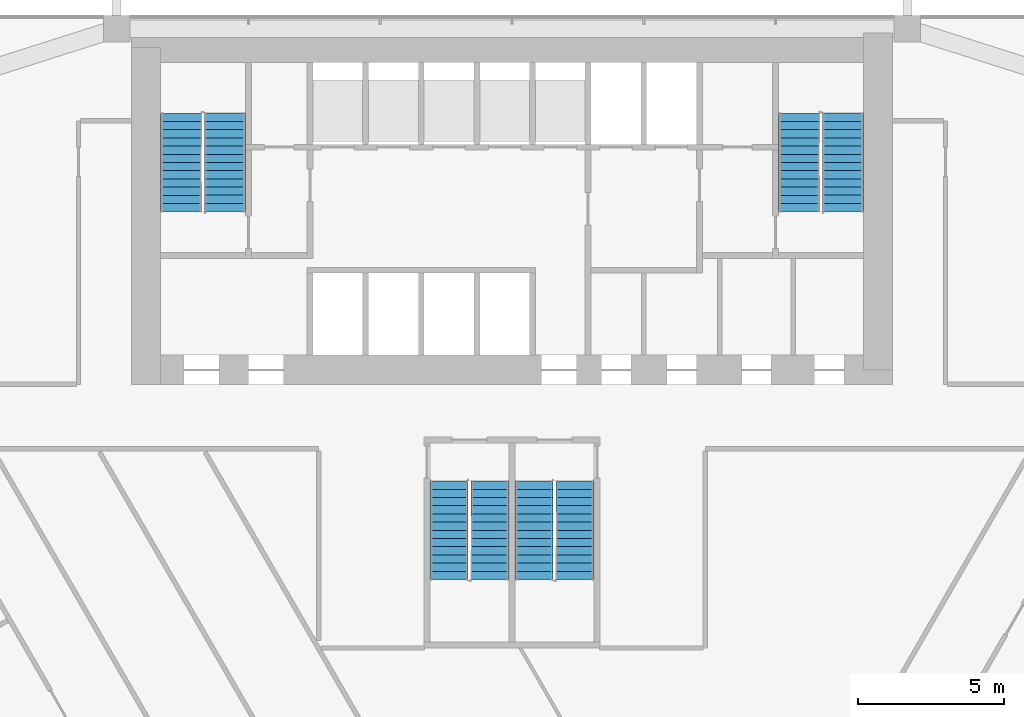
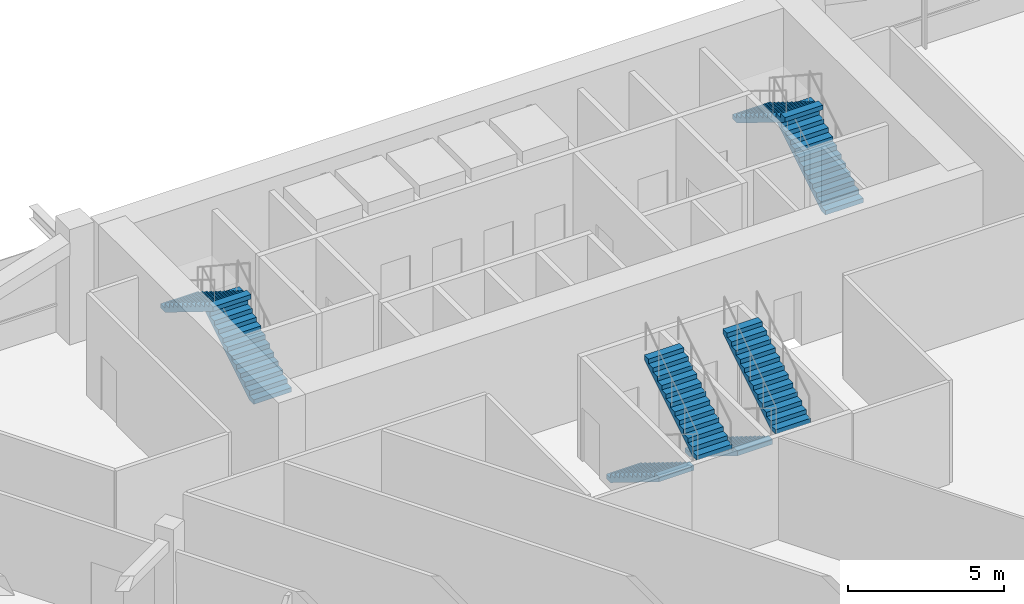
# One storey, part 12 of 15: 8 stair flights, 4 elements without a shape of their own.
"""IFC4 building model written with IfcOpenShell, lengths in metres."""

from ifc_helpers import new_model, si_unit, direction, frame, origin, place, context, subcontext, project, spatial, polyline, outline, extrude, material, type_object, element, aggregate, save


model = new_model("IFC4")

# Units and contexts
model_context = context("Model", 3, precision=1e-05, world=origin(), true_north=direction((0.0, 1.0)))
body_context = subcontext(model_context, "Body", "Model", "MODEL_VIEW")
ifc_project = project(units=[si_unit("LENGTHUNIT", "METRE"), si_unit("AREAUNIT", "SQUARE_METRE"), si_unit("VOLUMEUNIT", "CUBIC_METRE"), si_unit("PLANEANGLEUNIT", "RADIAN"), si_unit("MASSUNIT", "GRAM", prefix="KILO")], contexts=[model_context])

# Site, building, storey
site_placement = place(None, origin())
site = spatial("IfcSite", under=ifc_project, at=site_placement, CompositionType="ELEMENT")
building_placement = place(site_placement, origin())
building = spatial("IfcBuilding", under=site, at=building_placement, Name="Altiplano Prism Tower", CompositionType="ELEMENT")
storey_placement = place(building_placement, frame((0.0, 0.0, 22.5)))
storey = spatial("IfcBuildingStorey", under=building, at=storey_placement, Name="L04", CompositionType="ELEMENT", Elevation=22.5)

# Stair, stair flights
ifc_material = material(Name="Concrete C40/50", Category="concrete")
stair_type_1 = type_object("IfcStairType", Name="Exit stair 1400", PredefinedType="HALF_TURN_STAIR", material=ifc_material)
stair_1_placement = place(storey_placement, origin())
stair_1 = element("IfcStair", 1, at=stair_1_placement, inside=storey, type_object=stair_type_1, Name="L04 Exit Stair 1", PredefinedType="HALF_TURN_STAIR")
stair_flight_type = type_object("IfcStairFlightType", Name="Stair flight concrete 150", PredefinedType="STRAIGHT", material=ifc_material)
stair_flight_1_placement = place(storey_placement, frame((75.199951171875, 98.300048828125, 0.0), z_axis=(0.0, 0.0, 1.0), x_axis=(0.0, 1.0, 0.0)))
stair_flight_1 = element("IfcStairFlight", 2, at=stair_flight_1_placement, type_object=stair_flight_type, Name="ST1 flight 1", NumberOfRisers=13, NumberOfTreads=12, PredefinedType="STRAIGHT", RiserHeight=0.173076923, TreadLength=0.28, context=body_context, shape_type="SweptSolid", body=[
    extrude(outline(polyline([(0.0, 0.0), (0.0, 0.173095703125), (0.280029296875, 0.173095703125), (0.280029296875, 0.34619140625), (0.56005859375, 0.34619140625), (0.56005859375, 0.519287109375), (0.840087890625, 0.519287109375), (0.840087890625, 0.6923828125), (1.1201171875, 0.6923828125), (1.1201171875, 0.865478515625), (1.39990234375, 0.865478515625), (1.39990234375, 1.03857421875), (1.679931640625, 1.03857421875), (1.679931640625, 1.21142578125), (1.9599609375, 1.21142578125), (1.9599609375, 1.384521484375), (2.239990234375, 1.384521484375), (2.239990234375, 1.5576171875), (2.52001953125, 1.5576171875), (2.52001953125, 1.730712890625), (2.800048828125, 1.730712890625), (2.800048828125, 1.90380859375), (3.080078125, 1.90380859375), (3.080078125, 2.076904296875), (3.360107421875, 2.076904296875), (3.360107421875, 2.25), (3.360107421875, 1.900634765625), (0.28515625, 0.0), (0.0, 0.0)])), frame((0.0, 0.699951171875, 0.0), z_axis=(0.0, -1.0, 0.0), x_axis=(1.0, 0.0, 0.0)), (0.0, 0.0, 1.0), 1.39990234375),
])
stair_flight_2_placement = place(storey_placement, frame((73.699951171875, 101.659912109375, 2.25), z_axis=(0.0, 0.0, 1.0), x_axis=(0.0, -1.0, 0.0)))
stair_flight_2 = element("IfcStairFlight", 3, at=stair_flight_2_placement, type_object=stair_flight_type, Name="ST1 flight 2", NumberOfRisers=13, NumberOfTreads=12, PredefinedType="STRAIGHT", RiserHeight=0.173076923, TreadLength=0.28, context=body_context, shape_type="SweptSolid", body=[
    extrude(outline(polyline([(0.0, 0.0), (0.0, 0.173095703125), (0.280029296875, 0.173095703125), (0.280029296875, 0.34619140625), (0.56005859375, 0.34619140625), (0.56005859375, 0.519287109375), (0.840087890625, 0.519287109375), (0.840087890625, 0.6923828125), (1.1201171875, 0.6923828125), (1.1201171875, 0.865478515625), (1.39990234375, 0.865478515625), (1.39990234375, 1.03857421875), (1.679931640625, 1.03857421875), (1.679931640625, 1.21142578125), (1.9599609375, 1.21142578125), (1.9599609375, 1.384521484375), (2.239990234375, 1.384521484375), (2.239990234375, 1.5576171875), (2.52001953125, 1.5576171875), (2.52001953125, 1.730712890625), (2.800048828125, 1.730712890625), (2.800048828125, 1.90380859375), (3.080078125, 1.90380859375), (3.080078125, 2.076904296875), (3.360107421875, 2.076904296875), (3.360107421875, 2.25), (3.360107421875, 1.900634765625), (0.28515625, 0.0), (0.0, 0.0)])), frame((0.0, 0.699951171875, 0.0), z_axis=(0.0, -1.0, 0.0), x_axis=(1.0, 0.0, 0.0)), (0.0, 0.0, 1.0), 1.39990234375),
])
aggregate(stair_1, [stair_flight_1, stair_flight_2])

stair_2_placement = place(storey_placement, origin())
stair_2 = element("IfcStair", 4, at=stair_2_placement, inside=storey, type_object=stair_type_1, Name="L04 Exit Stair 2", PredefinedType="HALF_TURN_STAIR")
stair_flight_3_placement = place(storey_placement, frame((96.300048828125, 98.300048828125, 0.0), z_axis=(0.0, 0.0, 1.0), x_axis=(0.0, 1.0, 0.0)))
stair_flight_3 = element("IfcStairFlight", 5, at=stair_flight_3_placement, type_object=stair_flight_type, Name="ST2 flight 1", NumberOfRisers=13, NumberOfTreads=12, PredefinedType="STRAIGHT", RiserHeight=0.173076923, TreadLength=0.28, context=body_context, shape_type="SweptSolid", body=[
    extrude(outline(polyline([(0.0, 0.0), (0.0, 0.173095703125), (0.280029296875, 0.173095703125), (0.280029296875, 0.34619140625), (0.56005859375, 0.34619140625), (0.56005859375, 0.519287109375), (0.840087890625, 0.519287109375), (0.840087890625, 0.6923828125), (1.1201171875, 0.6923828125), (1.1201171875, 0.865478515625), (1.39990234375, 0.865478515625), (1.39990234375, 1.03857421875), (1.679931640625, 1.03857421875), (1.679931640625, 1.21142578125), (1.9599609375, 1.21142578125), (1.9599609375, 1.384521484375), (2.239990234375, 1.384521484375), (2.239990234375, 1.5576171875), (2.52001953125, 1.5576171875), (2.52001953125, 1.730712890625), (2.800048828125, 1.730712890625), (2.800048828125, 1.90380859375), (3.080078125, 1.90380859375), (3.080078125, 2.076904296875), (3.360107421875, 2.076904296875), (3.360107421875, 2.25), (3.360107421875, 1.900634765625), (0.28515625, 0.0), (0.0, 0.0)])), frame((0.0, 0.699951171875, 0.0), z_axis=(0.0, -1.0, 0.0), x_axis=(1.0, 0.0, 0.0)), (0.0, 0.0, 1.0), 1.39990234375),
])
stair_flight_4_placement = place(storey_placement, frame((94.800048828125, 101.659912109375, 2.25), z_axis=(0.0, 0.0, 1.0), x_axis=(0.0, -1.0, 0.0)))
stair_flight_4 = element("IfcStairFlight", 6, at=stair_flight_4_placement, type_object=stair_flight_type, Name="ST2 flight 2", NumberOfRisers=13, NumberOfTreads=12, PredefinedType="STRAIGHT", RiserHeight=0.173076923, TreadLength=0.28, context=body_context, shape_type="SweptSolid", body=[
    extrude(outline(polyline([(0.0, 0.0), (0.0, 0.173095703125), (0.280029296875, 0.173095703125), (0.280029296875, 0.34619140625), (0.56005859375, 0.34619140625), (0.56005859375, 0.519287109375), (0.840087890625, 0.519287109375), (0.840087890625, 0.6923828125), (1.1201171875, 0.6923828125), (1.1201171875, 0.865478515625), (1.39990234375, 0.865478515625), (1.39990234375, 1.03857421875), (1.679931640625, 1.03857421875), (1.679931640625, 1.21142578125), (1.9599609375, 1.21142578125), (1.9599609375, 1.384521484375), (2.239990234375, 1.384521484375), (2.239990234375, 1.5576171875), (2.52001953125, 1.5576171875), (2.52001953125, 1.730712890625), (2.800048828125, 1.730712890625), (2.800048828125, 1.90380859375), (3.080078125, 1.90380859375), (3.080078125, 2.076904296875), (3.360107421875, 2.076904296875), (3.360107421875, 2.25), (3.360107421875, 1.900634765625), (0.28515625, 0.0), (0.0, 0.0)])), frame((0.0, 0.699951171875, 0.0), z_axis=(0.0, -1.0, 0.0), x_axis=(1.0, 0.0, 0.0)), (0.0, 0.0, 1.0), 1.39990234375),
])
aggregate(stair_2, [stair_flight_3, stair_flight_4])

stair_type_2 = type_object("IfcStairType", Name="Exit stair 1300", PredefinedType="HALF_TURN_STAIR", material=ifc_material)
stair_3_placement = place(storey_placement, origin())
stair_3 = element("IfcStair", 7, at=stair_3_placement, inside=storey, type_object=stair_type_2, Name="L04 Exit Stair 3A", PredefinedType="HALF_TURN_STAIR")
stair_flight_5_placement = place(storey_placement, frame((82.85009765625, 89.10009765625, 0.0), z_axis=(0.0, 0.0, 1.0), x_axis=(0.0, -1.0, 0.0)))
stair_flight_5 = element("IfcStairFlight", 8, at=stair_flight_5_placement, type_object=stair_flight_type, Name="ST3A flight 1", NumberOfRisers=13, NumberOfTreads=12, PredefinedType="STRAIGHT", RiserHeight=0.173076923, TreadLength=0.28, context=body_context, shape_type="SweptSolid", body=[
    extrude(outline(polyline([(0.0, 0.0), (0.0, 0.173095703125), (0.280029296875, 0.173095703125), (0.280029296875, 0.34619140625), (0.56005859375, 0.34619140625), (0.56005859375, 0.519287109375), (0.840087890625, 0.519287109375), (0.840087890625, 0.6923828125), (1.1201171875, 0.6923828125), (1.1201171875, 0.865478515625), (1.39990234375, 0.865478515625), (1.39990234375, 1.03857421875), (1.679931640625, 1.03857421875), (1.679931640625, 1.21142578125), (1.9599609375, 1.21142578125), (1.9599609375, 1.384521484375), (2.239990234375, 1.384521484375), (2.239990234375, 1.5576171875), (2.52001953125, 1.5576171875), (2.52001953125, 1.730712890625), (2.800048828125, 1.730712890625), (2.800048828125, 1.90380859375), (3.080078125, 1.90380859375), (3.080078125, 2.076904296875), (3.360107421875, 2.076904296875), (3.360107421875, 2.25), (3.360107421875, 1.900634765625), (0.28515625, 0.0), (0.0, 0.0)])), frame((0.0, 0.64990234375, 0.0), z_axis=(0.0, -1.0, 0.0), x_axis=(1.0, 0.0, 0.0)), (0.0, 0.0, 1.0), 1.300048828125),
])
stair_flight_6_placement = place(storey_placement, frame((84.25, 85.739990234375, 2.25), z_axis=(0.0, 0.0, 1.0), x_axis=(0.0, 1.0, 0.0)))
stair_flight_6 = element("IfcStairFlight", 9, at=stair_flight_6_placement, type_object=stair_flight_type, Name="ST3A flight 2", NumberOfRisers=13, NumberOfTreads=12, PredefinedType="STRAIGHT", RiserHeight=0.173076923, TreadLength=0.28, context=body_context, shape_type="SweptSolid", body=[
    extrude(outline(polyline([(0.0, 0.0), (0.0, 0.173095703125), (0.280029296875, 0.173095703125), (0.280029296875, 0.34619140625), (0.56005859375, 0.34619140625), (0.56005859375, 0.519287109375), (0.840087890625, 0.519287109375), (0.840087890625, 0.6923828125), (1.1201171875, 0.6923828125), (1.1201171875, 0.865478515625), (1.39990234375, 0.865478515625), (1.39990234375, 1.03857421875), (1.679931640625, 1.03857421875), (1.679931640625, 1.21142578125), (1.9599609375, 1.21142578125), (1.9599609375, 1.384521484375), (2.239990234375, 1.384521484375), (2.239990234375, 1.5576171875), (2.52001953125, 1.5576171875), (2.52001953125, 1.730712890625), (2.800048828125, 1.730712890625), (2.800048828125, 1.90380859375), (3.080078125, 1.90380859375), (3.080078125, 2.076904296875), (3.360107421875, 2.076904296875), (3.360107421875, 2.25), (3.360107421875, 1.900634765625), (0.28515625, 0.0), (0.0, 0.0)])), frame((0.0, 0.64990234375, 0.0), z_axis=(0.0, -1.0, 0.0), x_axis=(1.0, 0.0, 0.0)), (0.0, 0.0, 1.0), 1.300048828125),
])
aggregate(stair_3, [stair_flight_5, stair_flight_6])

stair_4_placement = place(storey_placement, origin())
stair_4 = element("IfcStair", 10, at=stair_4_placement, inside=storey, type_object=stair_type_2, Name="L04 Exit Stair 3B", PredefinedType="HALF_TURN_STAIR")
stair_flight_7_placement = place(storey_placement, frame((85.75, 89.10009765625, 0.0), z_axis=(0.0, 0.0, 1.0), x_axis=(0.0, -1.0, 0.0)))
stair_flight_7 = element("IfcStairFlight", 11, at=stair_flight_7_placement, type_object=stair_flight_type, Name="ST3B flight 1", NumberOfRisers=13, NumberOfTreads=12, PredefinedType="STRAIGHT", RiserHeight=0.173076923, TreadLength=0.28, context=body_context, shape_type="SweptSolid", body=[
    extrude(outline(polyline([(0.0, 0.0), (0.0, 0.173095703125), (0.280029296875, 0.173095703125), (0.280029296875, 0.34619140625), (0.56005859375, 0.34619140625), (0.56005859375, 0.519287109375), (0.840087890625, 0.519287109375), (0.840087890625, 0.6923828125), (1.1201171875, 0.6923828125), (1.1201171875, 0.865478515625), (1.39990234375, 0.865478515625), (1.39990234375, 1.03857421875), (1.679931640625, 1.03857421875), (1.679931640625, 1.21142578125), (1.9599609375, 1.21142578125), (1.9599609375, 1.384521484375), (2.239990234375, 1.384521484375), (2.239990234375, 1.5576171875), (2.52001953125, 1.5576171875), (2.52001953125, 1.730712890625), (2.800048828125, 1.730712890625), (2.800048828125, 1.90380859375), (3.080078125, 1.90380859375), (3.080078125, 2.076904296875), (3.360107421875, 2.076904296875), (3.360107421875, 2.25), (3.360107421875, 1.900634765625), (0.28515625, 0.0), (0.0, 0.0)])), frame((0.0, 0.64990234375, 0.0), z_axis=(0.0, -1.0, 0.0), x_axis=(1.0, 0.0, 0.0)), (0.0, 0.0, 1.0), 1.300048828125),
])
stair_flight_8_placement = place(storey_placement, frame((87.14990234375, 85.739990234375, 2.25), z_axis=(0.0, 0.0, 1.0), x_axis=(0.0, 1.0, 0.0)))
stair_flight_8 = element("IfcStairFlight", 12, at=stair_flight_8_placement, type_object=stair_flight_type, Name="ST3B flight 2", NumberOfRisers=13, NumberOfTreads=12, PredefinedType="STRAIGHT", RiserHeight=0.173076923, TreadLength=0.28, context=body_context, shape_type="SweptSolid", body=[
    extrude(outline(polyline([(0.0, 0.0), (0.0, 0.173095703125), (0.280029296875, 0.173095703125), (0.280029296875, 0.34619140625), (0.56005859375, 0.34619140625), (0.56005859375, 0.519287109375), (0.840087890625, 0.519287109375), (0.840087890625, 0.6923828125), (1.1201171875, 0.6923828125), (1.1201171875, 0.865478515625), (1.39990234375, 0.865478515625), (1.39990234375, 1.03857421875), (1.679931640625, 1.03857421875), (1.679931640625, 1.21142578125), (1.9599609375, 1.21142578125), (1.9599609375, 1.384521484375), (2.239990234375, 1.384521484375), (2.239990234375, 1.5576171875), (2.52001953125, 1.5576171875), (2.52001953125, 1.730712890625), (2.800048828125, 1.730712890625), (2.800048828125, 1.90380859375), (3.080078125, 1.90380859375), (3.080078125, 2.076904296875), (3.360107421875, 2.076904296875), (3.360107421875, 2.25), (3.360107421875, 1.900634765625), (0.28515625, 0.0), (0.0, 0.0)])), frame((0.0, 0.64990234375, 0.0), z_axis=(0.0, -1.0, 0.0), x_axis=(1.0, 0.0, 0.0)), (0.0, 0.0, 1.0), 1.300048828125),
])
aggregate(stair_4, [stair_flight_7, stair_flight_8])

save(model, "model.ifc")
